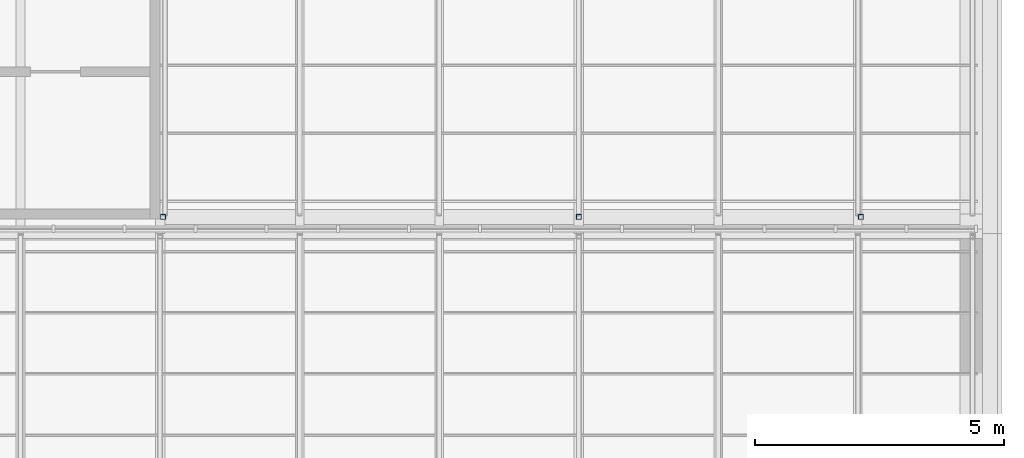
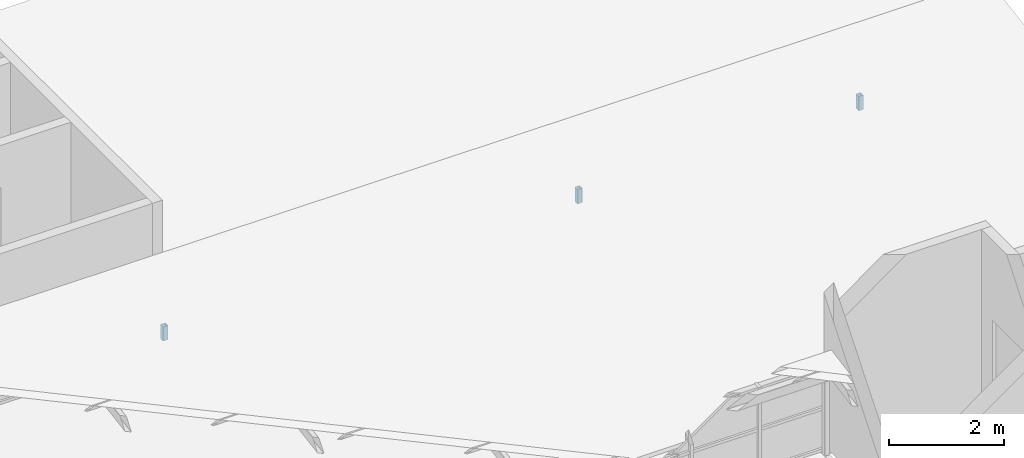
# One storey, part 20 of 33: 3 members.
"""IFC4 building model written with IfcOpenShell, lengths in metres."""

from ifc_helpers import new_model, si_unit, direction, frame, origin, origin_2d, place, context, subcontext, project, spatial, hollow_rectangle, extrude, material, material_profile, profile_set, type_object, element, save


model = new_model("IFC4")

# Units and contexts
model_context = context("Model", 3, precision=1e-05, world=origin(), true_north=direction((0.0, 1.0)))
body_context = subcontext(model_context, "Body", "Model", "MODEL_VIEW")
ifc_project = project(units=[si_unit("LENGTHUNIT", "METRE"), si_unit("AREAUNIT", "SQUARE_METRE"), si_unit("VOLUMEUNIT", "CUBIC_METRE"), si_unit("PLANEANGLEUNIT", "RADIAN"), si_unit("MASSUNIT", "GRAM", prefix="KILO")], contexts=[model_context])

# Site, building, storey
site_placement = place(None, origin())
site = spatial("IfcSite", under=ifc_project, at=site_placement, CompositionType="ELEMENT")
building_placement = place(site_placement, origin())
building = spatial("IfcBuilding", under=site, at=building_placement, Name="Ardhachandra Cancer Care Centre", CompositionType="ELEMENT")
storey_placement = place(building_placement, frame((0.0, 0.0, 27.0)))
storey = spatial("IfcBuildingStorey", under=building, at=storey_placement, Name="Roof", CompositionType="ELEMENT", Elevation=27.0)

# Members
ifc_material = material(Name="Steel E350 (IS 2062)", Category="steel")
ifc_material_profile = material_profile(ifc_material, hollow_rectangle(XDim=0.10009765625, YDim=0.10009765625, WallThickness=0.0048828125, InnerFilletRadius=0.0048828125, OuterFilletRadius=0.010009765625, at=origin_2d()), Name="SHS 100x100x5.0")
ifc_profile_set = profile_set([ifc_material_profile], Name="Steel E350 (IS 2062)")
member_type = type_object("IfcMemberType", Name="Sawtooth ridge post SHS 100x100x5.0", PredefinedType="POST", material=ifc_profile_set)
for number, where, z_axis, x_axis, name in (
    (1, (128.4599609375, 96.93994140625, 0.0), (0.0, 0.0, 1.0), (1.0, 0.0, 0.0), "Gutter cradle ST3a.1"),
    (2, (136.800048828125, 96.93994140625, 0.0), (0.0, 0.0, 1.0), (1.0, 0.0, 0.0), "Gutter cradle ST3a.2"),
    (3, (142.4599609375, 96.93994140625, 0.0), (0.0, 0.0, 1.0), (1.0, 0.0, 0.0), "Gutter cradle ST3a.3"),
):
    element("IfcMember", number, at=place(storey_placement, frame(where, z_axis=z_axis, x_axis=x_axis)), inside=storey, type_object=member_type, Name=name, PredefinedType="POST", context=body_context, shape_type="SweptSolid", body=[
        extrude(hollow_rectangle(XDim=0.10009765625, YDim=0.10009765625, WallThickness=0.0048828125, InnerFilletRadius=0.0048828125, OuterFilletRadius=0.010009765625, at=origin_2d()), origin(), (0.0, 0.0, 1.0), 0.300048828125),
    ])

save(model, "model.ifc")
